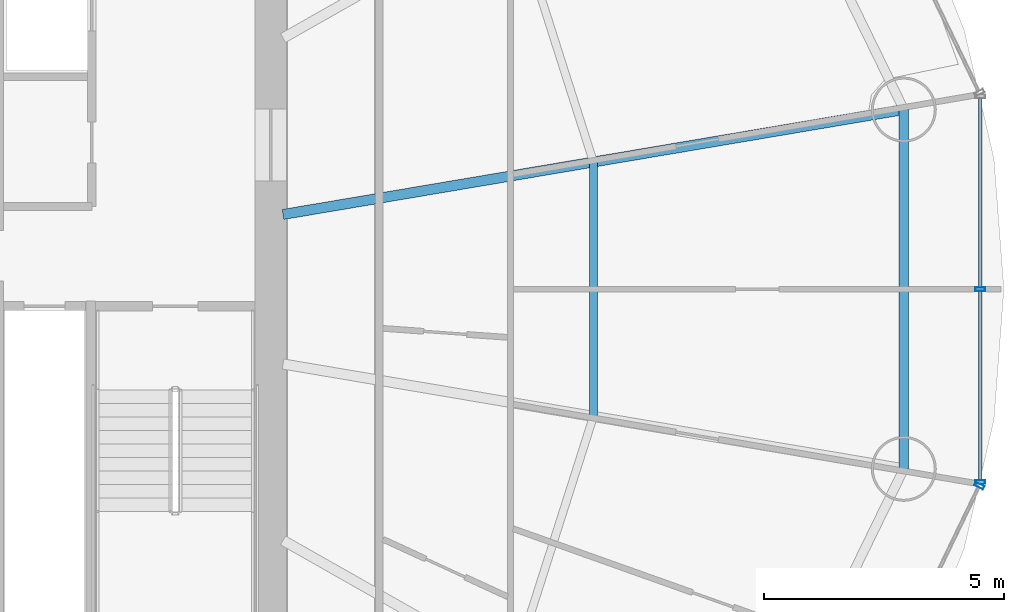
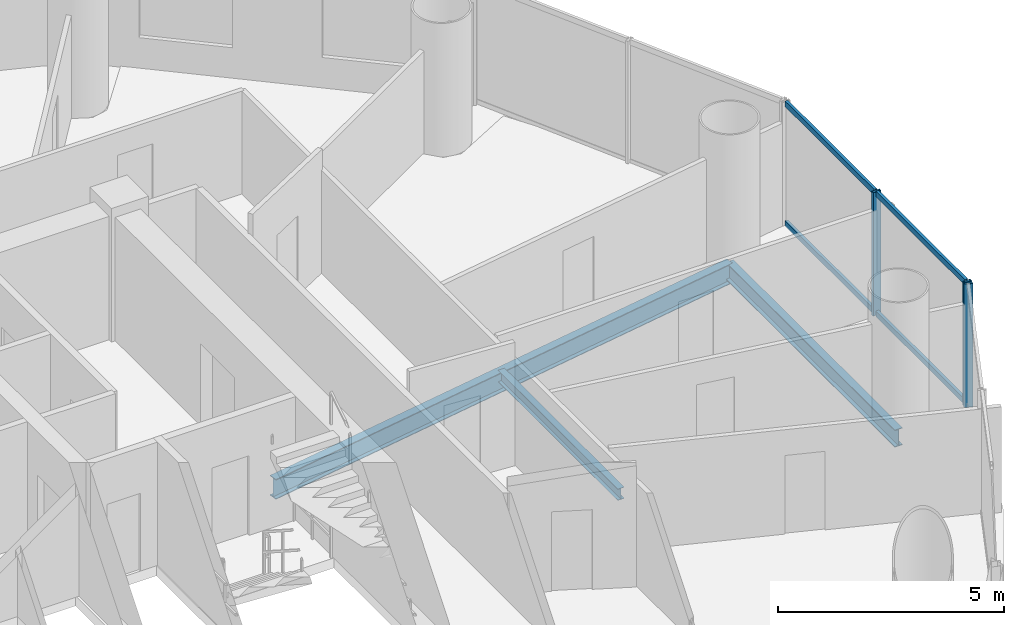
# One storey, part 11 of 26: 7 members, 3 beams, 2 elements without a shape of their own.
"""IFC4 building model written with IfcOpenShell, lengths in metres."""

from ifc_helpers import new_model, si_unit, direction, frame, origin, origin_2d, place, context, subcontext, project, spatial, hollow_rectangle, i_section, extrude, source, transform, mapped, material, material_profile, profile_set, type_object, element, aggregate, save


model = new_model("IFC4")

# Units and contexts
model_context = context("Model", 3, precision=1e-05, world=origin(), true_north=direction((-0.2419218956, 0.970295726276)))
body_context = subcontext(model_context, "Body", "Model", "MODEL_VIEW")
ifc_project = project(units=[si_unit("LENGTHUNIT", "METRE"), si_unit("AREAUNIT", "SQUARE_METRE"), si_unit("VOLUMEUNIT", "CUBIC_METRE"), si_unit("PLANEANGLEUNIT", "RADIAN"), si_unit("MASSUNIT", "GRAM", prefix="KILO")], contexts=[model_context])

# Site, building, storey
site_placement = place(None, origin())
site = spatial("IfcSite", under=ifc_project, at=site_placement, CompositionType="ELEMENT")
building_placement = place(site_placement, origin())
building = spatial("IfcBuilding", under=site, at=building_placement, Name="Cobrevalo Terracotta Tower", CompositionType="ELEMENT")
storey_placement = place(building_placement, frame((0.0, 0.0, 167.800048828125)))
storey = spatial("IfcBuildingStorey", under=building, at=storey_placement, Name="L44", CompositionType="ELEMENT", Elevation=167.800048828125)

# Beams
ifc_material_1 = material(Name="Steel S355", Category="steel")
ifc_material_profile_1 = material_profile(ifc_material_1, i_section(OverallWidth=0.2109375, OverallDepth=0.5390625, WebThickness=0.01171875, FlangeThickness=0.018798828125, at=origin_2d()), Name="W 530x109")
ifc_profile_set_1 = profile_set([ifc_material_profile_1], Name="Steel S355")
beam_type_1 = type_object("IfcBeamType", Name="Structural Beam W 530x109 (Steel S355)", PredefinedType="BEAM", material=ifc_profile_set_1)
beam_1_placement = place(storey_placement, frame((60.11669921875, 30.535888671875, -0.53955078125), z_axis=(-0.986032794282, -0.166551279191, 0.0), x_axis=(0.166551279191, -0.986032794282, 0.0)))
element("IfcBeam", 1, at=beam_1_placement, inside=storey, type_object=beam_type_1, Name="L44 radial floor girder 01", PredefinedType="BEAM", context=body_context, shape_type="SweptSolid", body=[
    extrude(i_section(OverallWidth=0.2109375, OverallDepth=0.5390625, WebThickness=0.01171875, FlangeThickness=0.018798828125, at=origin_2d()), origin(), (0.0, 0.0, 1.0), 13.094482421875),
])
ifc_material_profile_2 = material_profile(ifc_material_1, i_section(OverallWidth=0.1650390625, OverallDepth=0.31005859375, WebThickness=0.005859375, FlangeThickness=0.009765625, at=origin_2d()), Name="W 310x38.7")
ifc_profile_set_2 = profile_set([ifc_material_profile_2], Name="Steel S355")
beam_type_2 = type_object("IfcBeamType", Name="Structural Joist W 310x38.7 (Steel S355)", PredefinedType="JOIST", material=ifc_profile_set_2)
beam_2_placement = place(storey_placement, frame((53.660888671875, 24.154541015625, -0.425048828125), z_axis=(0.0, 1.0, 0.0), x_axis=(-1.0, 0.0, 0.0)))
element("IfcBeam", 2, at=beam_2_placement, inside=storey, type_object=beam_type_2, Name="L44 circumferential secondary floor joist 16", PredefinedType="JOIST", context=body_context, shape_type="SweptSolid", body=[
    extrude(i_section(OverallWidth=0.1650390625, OverallDepth=0.31005859375, WebThickness=0.005859375, FlangeThickness=0.009765625, at=origin_2d()), origin(), (0.0, 0.0, 1.0), 5.291015625),
])
ifc_material_profile_3 = material_profile(ifc_material_1, i_section(OverallWidth=0.194091796875, OverallDepth=0.468994140625, WebThickness=0.011474609375, FlangeThickness=0.0205078125, at=origin_2d()), Name="W 460x106")
ifc_profile_set_3 = profile_set([ifc_material_profile_3], Name="Steel S355")
beam_type_3 = type_object("IfcBeamType", Name="Structural Spandrel W 460x106 (Steel S355)", PredefinedType="SPANDREL", material=ifc_profile_set_3)
beam_3_placement = place(storey_placement, frame((60.11669921875, 23.06396484375, -0.504638671875), z_axis=(0.0, 1.0, 0.0), x_axis=(-1.0, 0.0, 0.0)))
element("IfcBeam", 3, at=beam_3_placement, inside=storey, type_object=beam_type_3, Name="L44 perimeter ring spandrel 16", PredefinedType="SPANDREL", context=body_context, shape_type="SweptSolid", body=[
    extrude(i_section(OverallWidth=0.194091796875, OverallDepth=0.468994140625, WebThickness=0.011474609375, FlangeThickness=0.0205078125, at=origin_2d()), origin(), (0.0, 0.0, 1.0), 7.471923828125),
])

# Curtain wall, members
ifc_material_2 = material(Name="Anodized aluminium", Category="aluminium")
curtain_wall_type = type_object("IfcCurtainWallType", Name="Mid-tower high-wind unitised curtain wall CW-U2", PredefinedType="NOTDEFINED", material=ifc_material_2)
curtain_wall_1_placement = place(storey_placement, origin())
curtain_wall_1 = element("IfcCurtainWall", 4, at=curtain_wall_1_placement, inside=storey, type_object=curtain_wall_type, Name="L44 curtain wall CW-L44-S16", PredefinedType="NOTDEFINED")
ifc_material_profile_4 = material_profile(ifc_material_2, hollow_rectangle(XDim=0.074951171875, YDim=0.14990234375, WallThickness=0.00439453125, at=origin_2d()), Name="CWT 75x150")
ifc_profile_set_4 = profile_set([ifc_material_profile_4], Name="Anodized aluminium")
member_type_1 = type_object("IfcMemberType", Name="Tower unitised aluminium transom 75x150", PredefinedType="USERDEFINED", material=ifc_profile_set_4)
shared_shape_1 = source(origin(), body_context, "Body", "SweptSolid", [
    extrude(hollow_rectangle(XDim=0.074951171875, YDim=0.14990234375, WallThickness=0.00439453125, at=origin_2d()), origin(), (0.0, 0.0, 1.0), 3.931884765625),
])
member_1_placement = place(storey_placement, frame((61.70556640625, 26.840087890625, 0.050048828125), z_axis=(0.0, 1.0, 0.0), x_axis=(-1.0, 0.0, 0.0)))
member_1 = element("IfcMember", 5, at=member_1_placement, type_object=member_type_1, Name="CW-L44-S16 transom B02-T1", ObjectType="TRANSOM", PredefinedType="USERDEFINED", context=body_context, shape_type="MappedRepresentation", body=[
    mapped(shared_shape_1, transform((0.0, 0.0, 0.0), scale=1.0)),
])
member_2_placement = place(storey_placement, frame((61.70556640625, 26.840087890625, 3.280029296875), z_axis=(0.0, 1.0, 0.0), x_axis=(-1.0, 0.0, 0.0)))
member_2 = element("IfcMember", 6, at=member_2_placement, type_object=member_type_1, Name="CW-L44-S16 transom B02-T2", ObjectType="TRANSOM", PredefinedType="USERDEFINED", context=body_context, shape_type="MappedRepresentation", body=[
    mapped(shared_shape_1, transform((0.0, 0.0, 0.0), scale=1.0)),
])
shared_shape_2 = source(origin(), body_context, "Body", "SweptSolid", [
    extrude(hollow_rectangle(XDim=0.074951171875, YDim=0.14990234375, WallThickness=0.00439453125, at=origin_2d()), origin(), (0.0, 0.0, 1.0), 3.93212890625),
])
member_3_placement = place(storey_placement, frame((61.70556640625, 22.827880859375, 0.050048828125), z_axis=(0.0, 1.0, 0.0), x_axis=(-1.0, 0.0, 0.0)))
member_3 = element("IfcMember", 7, at=member_3_placement, type_object=member_type_1, Name="CW-L44-S16 transom B01-T1", ObjectType="TRANSOM", PredefinedType="USERDEFINED", context=body_context, shape_type="MappedRepresentation", body=[
    mapped(shared_shape_2, transform((0.0, 0.0, 0.0), scale=1.0)),
])
member_4_placement = place(storey_placement, frame((61.70556640625, 22.827880859375, 3.280029296875), z_axis=(0.0, 1.0, 0.0), x_axis=(-1.0, 0.0, 0.0)))
member_4 = element("IfcMember", 8, at=member_4_placement, type_object=member_type_1, Name="CW-L44-S16 transom B01-T2", ObjectType="TRANSOM", PredefinedType="USERDEFINED", context=body_context, shape_type="MappedRepresentation", body=[
    mapped(shared_shape_2, transform((0.0, 0.0, 0.0), scale=1.0)),
])

# Curtain wall, member
curtain_wall_2_placement = place(storey_placement, origin())
curtain_wall_2 = element("IfcCurtainWall", 9, at=curtain_wall_2_placement, inside=storey, type_object=curtain_wall_type, Name="L44 curtain wall CW-L44-S15", PredefinedType="NOTDEFINED")
ifc_material_profile_5 = material_profile(ifc_material_2, hollow_rectangle(XDim=0.074951171875, YDim=0.199951171875, WallThickness=0.0048828125, at=origin_2d()), Name="CWM 75x200")
ifc_profile_set_5 = profile_set([ifc_material_profile_5], Name="Anodized aluminium")
member_type_2 = type_object("IfcMemberType", Name="Lower/mid tower unitised mullion 75x200", PredefinedType="MULLION", material=ifc_profile_set_5)
shared_shape_3 = source(origin(), body_context, "Body", "SweptSolid", [
    extrude(hollow_rectangle(XDim=0.074951171875, YDim=0.199951171875, WallThickness=0.0048828125, at=origin_2d()), origin(), (0.0, 0.0, 1.0), 3.329833984375),
])
member_5_placement = place(storey_placement, frame((61.688232421875, 22.7119140625, 0.0), z_axis=(0.0, 0.0, 1.0), x_axis=(0.434209440271, 0.900811945957, 0.0)))
member_5 = element("IfcMember", 10, at=member_5_placement, type_object=member_type_2, Name="CW-L44-S15 vertical mullion 03", PredefinedType="MULLION", context=body_context, shape_type="MappedRepresentation", body=[
    mapped(shared_shape_3, transform((0.0, 0.0, 0.0), scale=1.0)),
])
aggregate(curtain_wall_2, [member_5])

# Member
member_6_placement = place(storey_placement, frame((61.70556640625, 22.7880859375, 0.0), z_axis=(0.0, 0.0, 1.0), x_axis=(0.0, 1.0, 0.0)))
member_6 = element("IfcMember", 11, at=member_6_placement, type_object=member_type_2, Name="CW-L44-S16 vertical mullion 01", PredefinedType="MULLION", context=body_context, shape_type="MappedRepresentation", body=[
    mapped(shared_shape_3, transform((0.0, 0.0, 0.0), scale=1.0)),
])

member_7_placement = place(storey_placement, frame((61.70556640625, 26.800048828125, 0.0), z_axis=(0.0, 0.0, 1.0), x_axis=(0.0, 1.0, 0.0)))
member_7 = element("IfcMember", 12, at=member_7_placement, type_object=member_type_2, Name="CW-L44-S16 vertical mullion 02", PredefinedType="MULLION", context=body_context, shape_type="MappedRepresentation", body=[
    mapped(shared_shape_3, transform((0.0, 0.0, 0.0), scale=1.0)),
])

aggregate(curtain_wall_1, [member_6, member_7, member_3, member_4, member_1, member_2])

save(model, "model.ifc")
